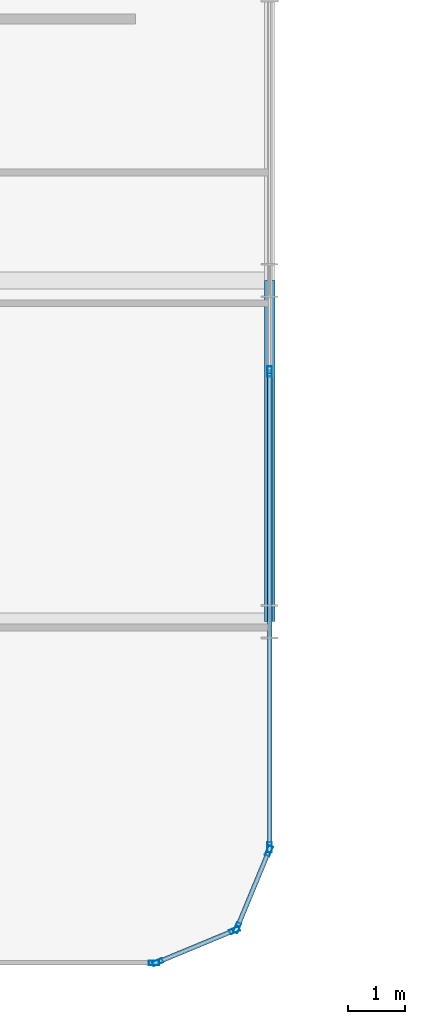
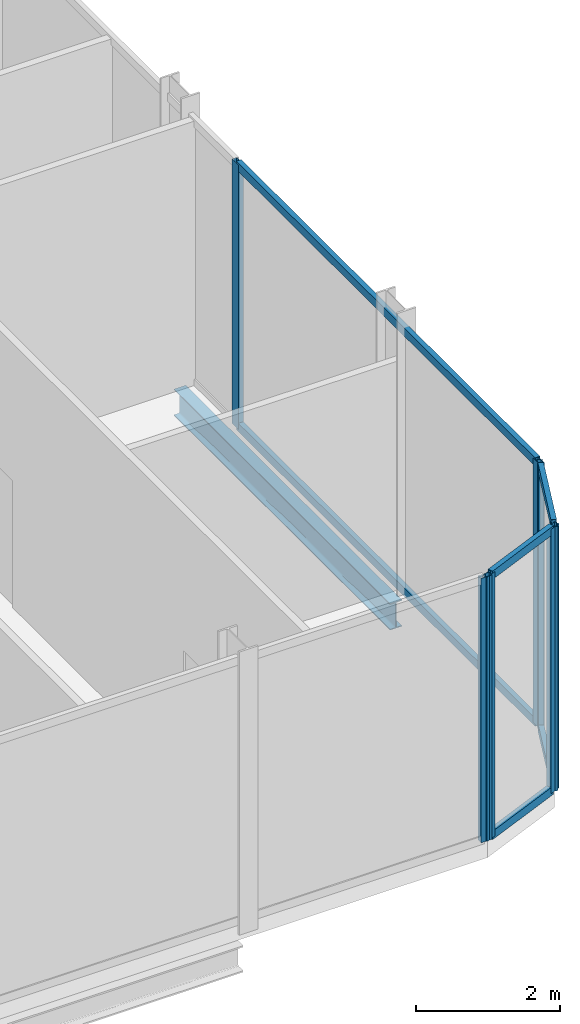
# One storey, part 10 of 29: 13 members, 1 beam, 4 elements without a shape of their own.
"""IFC4 building model written with IfcOpenShell, lengths in metres."""

from ifc_helpers import new_model, si_unit, direction, frame, origin, origin_2d, place, context, subcontext, project, spatial, hollow_rectangle, i_section, extrude, material, layer, layer_set, material_profile, profile_set, type_object, element, aggregate, save


model = new_model("IFC4")

# Units and contexts
model_context = context("Model", 3, precision=1e-05, world=origin(), true_north=direction((0.0, 1.0)))
body_context = subcontext(model_context, "Body", "Model", "MODEL_VIEW")
ifc_project = project(units=[si_unit("LENGTHUNIT", "METRE"), si_unit("AREAUNIT", "SQUARE_METRE"), si_unit("VOLUMEUNIT", "CUBIC_METRE"), si_unit("PLANEANGLEUNIT", "RADIAN"), si_unit("MASSUNIT", "GRAM", prefix="KILO")], contexts=[model_context])

# Site, building, storey
site_placement = place(None, origin())
site = spatial("IfcSite", under=ifc_project, at=site_placement, CompositionType="ELEMENT")
building_placement = place(site_placement, origin())
building = spatial("IfcBuilding", under=site, at=building_placement, Name="Keshet Zoharim Tower", CompositionType="ELEMENT")
storey_placement = place(building_placement, frame((0.0, 0.0, 120.5)))
storey = spatial("IfcBuildingStorey", under=building, at=storey_placement, Name="L29", CompositionType="ELEMENT", Elevation=120.5)

# Beam
ifc_material_1 = material(Name="Steel S355", Category="steel")
ifc_material_profile_1 = material_profile(ifc_material_1, i_section(OverallWidth=0.18994140625, OverallDepth=0.449951171875, WebThickness=0.009521484375, FlangeThickness=0.0146484375, FilletRadius=0.02099609375, at=origin_2d()), Name="IPE450")
ifc_profile_set_1 = profile_set([ifc_material_profile_1], Name="Steel S355")
beam_type = type_object("IfcBeamType", Name="BM-PRI-IP450", PredefinedType="BEAM", material=ifc_profile_set_1)
beam_placement = place(storey_placement, frame((57.0, 6.699951171875, -0.544921875), z_axis=(0.0, 1.0, 0.0), x_axis=(-1.0, 0.0, 0.0)))
element("IfcBeam", 1, at=beam_placement, inside=storey, type_object=beam_type, Name="L29 Primary Girder Y-013", PredefinedType="BEAM", context=body_context, shape_type="SweptSolid", body=[
    extrude(i_section(OverallWidth=0.18994140625, OverallDepth=0.449951171875, WebThickness=0.009521484375, FlangeThickness=0.0146484375, FilletRadius=0.02099609375, at=origin_2d()), origin(), (0.0, 0.0, 1.0), 6.0),
])

# Curtain wall, members
ifc_material_2 = material(Name="Aluminium 6063-T6", Category="aluminium")
ifc_layer = layer(ifc_material_2, 0.14990234375)
ifc_layer_set = layer_set([ifc_layer], Name="Aluminium 6063-T6")
curtain_wall_type = type_object("IfcCurtainWallType", Name="CW-SYS-04", PredefinedType="NOTDEFINED", material=ifc_layer_set)
curtain_wall_1_placement = place(storey_placement, origin())
curtain_wall_1 = element("IfcCurtainWall", 2, at=curtain_wall_1_placement, inside=storey, type_object=curtain_wall_type, Name="L29 Unitised Curtain Wall 01", PredefinedType="NOTDEFINED")
ifc_material_profile_2 = material_profile(ifc_material_2, hollow_rectangle(XDim=0.080078125, YDim=0.179931640625, WallThickness=0.00439453125, at=origin_2d()), Name="MUL-80x180")
ifc_profile_set_2 = profile_set([ifc_material_profile_2], Name="Aluminium 6063-T6")
member_type_1 = type_object("IfcMemberType", Name="CWM-M18", PredefinedType="MULLION", material=ifc_profile_set_2)
member_1_placement = place(storey_placement, frame((56.986572265625, 2.667724609375, 0.0), z_axis=(0.0, 0.0, 1.0), x_axis=(0.92380975372, -0.382851849847, 0.0)))
member_1 = element("IfcMember", 3, at=member_1_placement, type_object=member_type_1, Name="CW-04 mullion 1", PredefinedType="MULLION", context=body_context, shape_type="SweptSolid", body=[
    extrude(hollow_rectangle(XDim=0.080078125, YDim=0.179931640625, WallThickness=0.00439453125, at=origin_2d()), origin(), (0.0, 0.0, 1.0), 4.47998046875),
])
member_2_placement = place(storey_placement, frame((56.427490234375, 1.318359375, 0.0), z_axis=(0.0, 0.0, 1.0), x_axis=(0.92380975372, -0.382851849847, 0.0)))
member_2 = element("IfcMember", 4, at=member_2_placement, type_object=member_type_1, Name="CW-04 mullion 2", PredefinedType="MULLION", context=body_context, shape_type="SweptSolid", body=[
    extrude(hollow_rectangle(XDim=0.080078125, YDim=0.179931640625, WallThickness=0.00439453125, at=origin_2d()), origin(), (0.0, 0.0, 1.0), 4.47998046875),
])

curtain_wall_2_placement = place(storey_placement, origin())
curtain_wall_2 = element("IfcCurtainWall", 5, at=curtain_wall_2_placement, inside=storey, type_object=curtain_wall_type, Name="L29 Unitised Curtain Wall 02", PredefinedType="NOTDEFINED")
member_3_placement = place(storey_placement, frame((56.381591796875, 1.272705078125, 0.0), z_axis=(0.0, 0.0, 1.0), x_axis=(0.382851849847, -0.92380975372, 0.0)))
member_3 = element("IfcMember", 6, at=member_3_placement, type_object=member_type_1, Name="CW-04 mullion 1", PredefinedType="MULLION", context=body_context, shape_type="SweptSolid", body=[
    extrude(hollow_rectangle(XDim=0.080078125, YDim=0.179931640625, WallThickness=0.00439453125, at=origin_2d()), origin(), (0.0, 0.0, 1.0), 4.47998046875),
])
member_4_placement = place(storey_placement, frame((55.0322265625, 0.71337890625, 0.0), z_axis=(0.0, 0.0, 1.0), x_axis=(0.382851849847, -0.92380975372, 0.0)))
member_4 = element("IfcMember", 7, at=member_4_placement, type_object=member_type_1, Name="CW-04 mullion 2", PredefinedType="MULLION", context=body_context, shape_type="SweptSolid", body=[
    extrude(hollow_rectangle(XDim=0.080078125, YDim=0.179931640625, WallThickness=0.00439453125, at=origin_2d()), origin(), (0.0, 0.0, 1.0), 4.47998046875),
])

# Curtain wall, member
curtain_wall_3_placement = place(storey_placement, origin())
curtain_wall_3 = element("IfcCurtainWall", 8, at=curtain_wall_3_placement, inside=storey, type_object=curtain_wall_type, Name="L29 Unitised Curtain Wall 03", PredefinedType="NOTDEFINED")
member_5_placement = place(storey_placement, frame((54.965087890625, 0.699951171875, 0.0), z_axis=(0.0, 0.0, 1.0), x_axis=(0.0, -1.0, 0.0)))
member_5 = element("IfcMember", 9, at=member_5_placement, type_object=member_type_1, Name="CW-04 mullion 1", PredefinedType="MULLION", context=body_context, shape_type="SweptSolid", body=[
    extrude(hollow_rectangle(XDim=0.080078125, YDim=0.179931640625, WallThickness=0.00439453125, at=origin_2d()), origin(), (0.0, 0.0, 1.0), 4.47998046875),
])
aggregate(curtain_wall_3, [member_5])

# Curtain wall, members
curtain_wall_4_placement = place(storey_placement, origin())
curtain_wall_4 = element("IfcCurtainWall", 10, at=curtain_wall_4_placement, inside=storey, type_object=curtain_wall_type, Name="L29 Unitised Curtain Wall 19", PredefinedType="NOTDEFINED")
member_6_placement = place(storey_placement, frame((57.0, 11.10009765625, 0.0), z_axis=(0.0, 0.0, 1.0), x_axis=(1.0, 0.0, 0.0)))
member_6 = element("IfcMember", 11, at=member_6_placement, type_object=member_type_1, Name="CW-04 mullion 3", PredefinedType="MULLION", context=body_context, shape_type="SweptSolid", body=[
    extrude(hollow_rectangle(XDim=0.080078125, YDim=0.179931640625, WallThickness=0.00439453125, at=origin_2d()), origin(), (0.0, 0.0, 1.0), 4.47998046875),
])
member_7_placement = place(storey_placement, frame((57.0, 2.735107421875, 0.0), z_axis=(0.0, 0.0, 1.0), x_axis=(1.0, 0.0, 0.0)))
member_7 = element("IfcMember", 12, at=member_7_placement, type_object=member_type_1, Name="CW-04 mullion 4", PredefinedType="MULLION", context=body_context, shape_type="SweptSolid", body=[
    extrude(hollow_rectangle(XDim=0.080078125, YDim=0.179931640625, WallThickness=0.00439453125, at=origin_2d()), origin(), (0.0, 0.0, 1.0), 4.47998046875),
])

# Member
ifc_material_profile_3 = material_profile(ifc_material_2, hollow_rectangle(XDim=0.080078125, YDim=0.139892578125, WallThickness=0.00390625, at=origin_2d()), Name="TRN-80x140")
ifc_profile_set_3 = profile_set([ifc_material_profile_3], Name="Aluminium 6063-T6")
member_type_2 = type_object("IfcMemberType", Name="CWT-T14", PredefinedType="USERDEFINED", material=ifc_profile_set_3)
member_8_placement = place(storey_placement, frame((56.97314453125, 2.63525390625, 0.034912109375), z_axis=(-0.382744609247, -0.923854189844, 0.0), x_axis=(0.923854189844, -0.382744609247, 0.0)))
member_8 = element("IfcMember", 13, at=member_8_placement, type_object=member_type_2, Name="CW-04 transom 1.1", ObjectType="TRANSOM", PredefinedType="USERDEFINED", context=body_context, shape_type="SweptSolid", body=[
    extrude(hollow_rectangle(XDim=0.080078125, YDim=0.139892578125, WallThickness=0.00390625, at=origin_2d()), origin(), (0.0, 0.0, 1.0), 1.390625),
])

member_9_placement = place(storey_placement, frame((56.97314453125, 2.63525390625, 4.445068359375), z_axis=(-0.382744609247, -0.923854189844, 0.0), x_axis=(0.923854189844, -0.382744609247, 0.0)))
member_9 = element("IfcMember", 14, at=member_9_placement, type_object=member_type_2, Name="CW-04 transom 1.2", ObjectType="TRANSOM", PredefinedType="USERDEFINED", context=body_context, shape_type="SweptSolid", body=[
    extrude(hollow_rectangle(XDim=0.080078125, YDim=0.139892578125, WallThickness=0.00390625, at=origin_2d()), origin(), (0.0, 0.0, 1.0), 1.390625),
])

aggregate(curtain_wall_1, [member_1, member_2, member_8, member_9])

member_10_placement = place(storey_placement, frame((56.349365234375, 1.25927734375, 0.034912109375), z_axis=(-0.92379209995, -0.382894445076, 0.0), x_axis=(0.382894445076, -0.92379209995, 0.0)))
member_10 = element("IfcMember", 15, at=member_10_placement, type_object=member_type_2, Name="CW-04 transom 1.1", ObjectType="TRANSOM", PredefinedType="USERDEFINED", context=body_context, shape_type="SweptSolid", body=[
    extrude(hollow_rectangle(XDim=0.080078125, YDim=0.139892578125, WallThickness=0.00390625, at=origin_2d()), origin(), (0.0, 0.0, 1.0), 1.390625),
])

member_11_placement = place(storey_placement, frame((56.349365234375, 1.25927734375, 4.445068359375), z_axis=(-0.92379209995, -0.382894445076, 0.0), x_axis=(0.382894445076, -0.92379209995, 0.0)))
member_11 = element("IfcMember", 16, at=member_11_placement, type_object=member_type_2, Name="CW-04 transom 1.2", ObjectType="TRANSOM", PredefinedType="USERDEFINED", context=body_context, shape_type="SweptSolid", body=[
    extrude(hollow_rectangle(XDim=0.080078125, YDim=0.139892578125, WallThickness=0.00390625, at=origin_2d()), origin(), (0.0, 0.0, 1.0), 1.390625),
])

aggregate(curtain_wall_2, [member_3, member_4, member_10, member_11])

member_12_placement = place(storey_placement, frame((57.0, 11.06494140625, 0.034912109375), z_axis=(0.0, -1.0, 0.0), x_axis=(1.0, 0.0, 0.0)))
member_12 = element("IfcMember", 17, at=member_12_placement, type_object=member_type_2, Name="CW-04 transom 3.1", ObjectType="TRANSOM", PredefinedType="USERDEFINED", context=body_context, shape_type="SweptSolid", body=[
    extrude(hollow_rectangle(XDim=0.080078125, YDim=0.139892578125, WallThickness=0.00390625, at=origin_2d()), origin(), (0.0, 0.0, 1.0), 8.294921875),
])

member_13_placement = place(storey_placement, frame((57.0, 11.06494140625, 4.445068359375), z_axis=(0.0, -1.0, 0.0), x_axis=(1.0, 0.0, 0.0)))
member_13 = element("IfcMember", 18, at=member_13_placement, type_object=member_type_2, Name="CW-04 transom 3.2", ObjectType="TRANSOM", PredefinedType="USERDEFINED", context=body_context, shape_type="SweptSolid", body=[
    extrude(hollow_rectangle(XDim=0.080078125, YDim=0.139892578125, WallThickness=0.00390625, at=origin_2d()), origin(), (0.0, 0.0, 1.0), 8.294921875),
])

aggregate(curtain_wall_4, [member_6, member_7, member_12, member_13])

save(model, "model.ifc")
